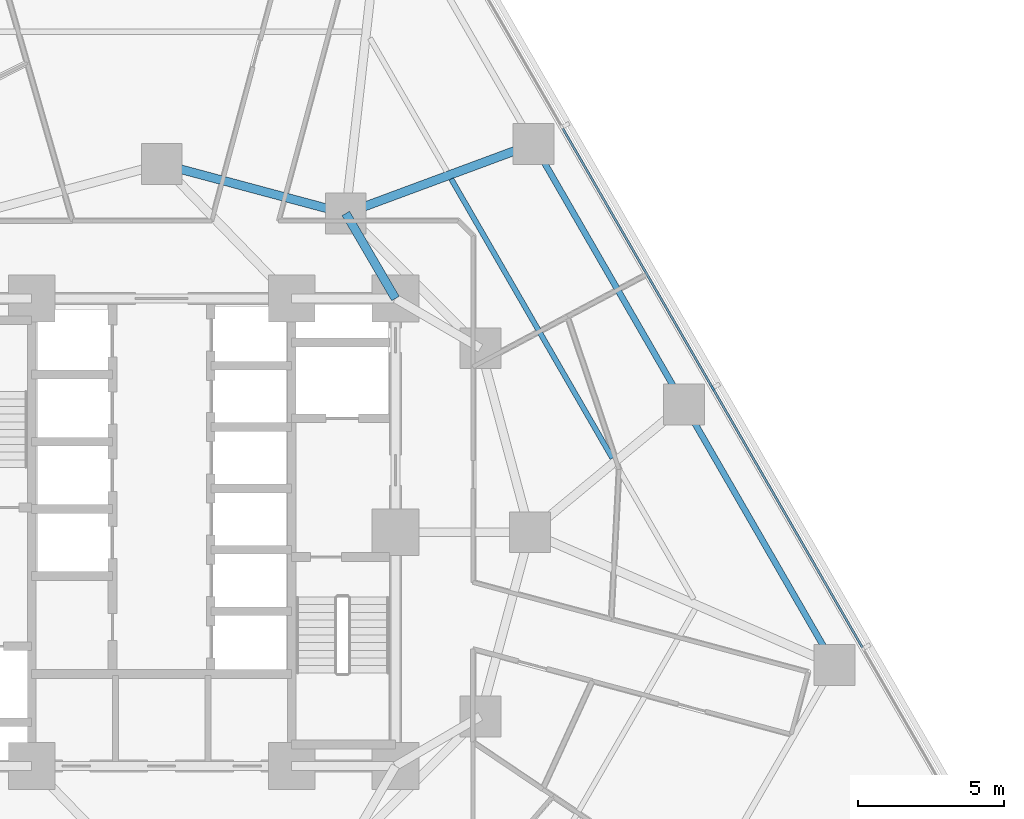
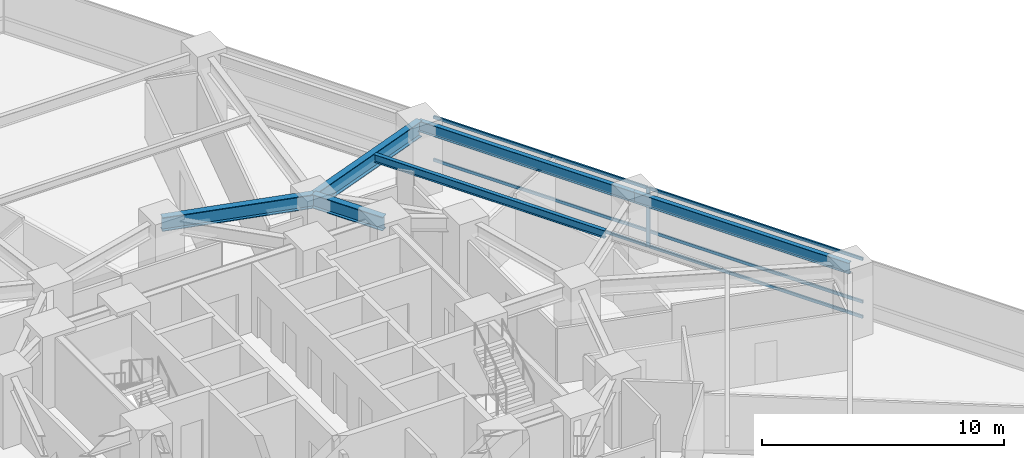
# One storey, part 5 of 16: 7 members, 6 beams, 1 element without a shape of its own.
"""IFC4 building model written with IfcOpenShell, lengths in metres."""

from ifc_helpers import new_model, si_unit, direction, frame, origin, origin_2d, place, context, subcontext, project, spatial, rectangle, i_section, extrude, material, layer, layer_set, material_profile, profile_set, type_object, element, aggregate, save


model = new_model("IFC4")

# Units and contexts
model_context = context("Model", 3, precision=1e-05, world=origin(), true_north=direction((0.0, 1.0)))
body_context = subcontext(model_context, "Body", "Model", "MODEL_VIEW")
ifc_project = project(units=[si_unit("LENGTHUNIT", "METRE"), si_unit("AREAUNIT", "SQUARE_METRE"), si_unit("VOLUMEUNIT", "CUBIC_METRE"), si_unit("PLANEANGLEUNIT", "RADIAN"), si_unit("MASSUNIT", "GRAM", prefix="KILO")], contexts=[model_context])

# Site, building, storey
site_placement = place(None, origin())
site = spatial("IfcSite", under=ifc_project, at=site_placement, CompositionType="ELEMENT")
building_placement = place(site_placement, origin())
building = spatial("IfcBuilding", under=site, at=building_placement, Name="Terralouvre Media Tower", CompositionType="ELEMENT")
storey_placement = place(building_placement, frame((0.0, 0.0, 40.800048828125)))
storey = spatial("IfcBuildingStorey", under=building, at=storey_placement, Name="L09", CompositionType="ELEMENT", Elevation=40.800048828125)

# Beam
ifc_material_1 = material(Name="Structural steel S355J2", Category="steel")
ifc_material_profile_1 = material_profile(ifc_material_1, i_section(OverallWidth=0.179931640625, OverallDepth=0.39990234375, WebThickness=0.008544921875, FlangeThickness=0.013427734375, at=origin_2d()), Name="IPE 400")
ifc_profile_set_1 = profile_set([ifc_material_profile_1], Name="Structural steel S355J2")
beam_type_1 = type_object("IfcBeamType", Name="Composite Floor Joist J-IPE400 (IPE 400)", PredefinedType="JOIST", material=ifc_profile_set_1)
beam_1_placement = place(storey_placement, frame((15.426025390625, 2.535400390625, 3.300048828125), z_axis=(-0.499996323086, 0.866027526641, 0.0), x_axis=(-0.866027526641, -0.499996323086, 0.0)))
element("IfcBeam", 1, at=beam_1_placement, inside=storey, type_object=beam_type_1, Name="L09 Framing Beam JT-L09-07", PredefinedType="JOIST", context=body_context, shape_type="SweptSolid", body=[
    extrude(i_section(OverallWidth=0.179931640625, OverallDepth=0.39990234375, WebThickness=0.008544921875, FlangeThickness=0.013427734375, at=origin_2d()), origin(), (0.0, 0.0, 1.0), 11.03466796875),
])

# Curtain wall, members
ifc_material_2 = material(Name="Low-iron laminated double glazing with solar-control coating", Category="glass")
ifc_layer = layer(ifc_material_2, 0.1650390625, Name="Lower Media Tower Unitised Curtain Wall CW-02")
ifc_layer_set = layer_set([ifc_layer], Name="Low-iron laminated double glazing with solar-control coating")
curtain_wall_type = type_object("IfcCurtainWallType", Name="Lower Media Tower Unitised Curtain Wall CW-02", PredefinedType="NOTDEFINED", material=ifc_layer_set)
curtain_wall_placement = place(storey_placement, origin())
curtain_wall = element("IfcCurtainWall", 2, at=curtain_wall_placement, inside=storey, type_object=curtain_wall_type, Name="L09 Facade Curtain Wall F1", PredefinedType="NOTDEFINED")
ifc_material_3 = material(Name="Anodised extruded aluminium 6063-T6", Category="aluminium")
ifc_material_profile_2 = material_profile(ifc_material_3, rectangle(XDim=0.074951171875, YDim=0.14990234375, at=origin_2d()), Name="ALU 75x150")
ifc_profile_set_2 = profile_set([ifc_material_profile_2], Name="Anodised extruded aluminium 6063-T6")
member_type_1 = type_object("IfcMemberType", Name="Curtain-Wall Horizontal Transom TR-150", PredefinedType="USERDEFINED", material=ifc_profile_set_2)
member_1_placement = place(storey_placement, frame((23.984619140625, -3.94921875, 0.037353515625), z_axis=(-0.499991148707, 0.866030514021, 0.0), x_axis=(-0.866030514021, -0.499991148707, 0.0)))
member_1 = element("IfcMember", 3, at=member_1_placement, type_object=member_type_1, Name="CW-02 transom 2.1", ObjectType="TRANSOM", PredefinedType="USERDEFINED", context=body_context, shape_type="SweptSolid", body=[
    extrude(rectangle(XDim=0.074951171875, YDim=0.14990234375, at=origin_2d()), origin(), (0.0, 0.0, 1.0), 10.224853515625),
])
member_2_placement = place(storey_placement, frame((23.984619140625, -3.94921875, 0.800048828125), z_axis=(-0.499991148707, 0.866030514021, 0.0), x_axis=(-0.866030514021, -0.499991148707, 0.0)))
member_2 = element("IfcMember", 4, at=member_2_placement, type_object=member_type_1, Name="CW-02 transom 2.2", ObjectType="TRANSOM", PredefinedType="USERDEFINED", context=body_context, shape_type="SweptSolid", body=[
    extrude(rectangle(XDim=0.074951171875, YDim=0.14990234375, at=origin_2d()), origin(), (0.0, 0.0, 1.0), 10.224853515625),
])
member_3_placement = place(storey_placement, frame((23.984619140625, -3.94921875, 2.96240234375), z_axis=(-0.499991148707, 0.866030514021, 0.0), x_axis=(-0.866030514021, -0.499991148707, 0.0)))
member_3 = element("IfcMember", 5, at=member_3_placement, type_object=member_type_1, Name="CW-02 transom 2.3", ObjectType="TRANSOM", PredefinedType="USERDEFINED", context=body_context, shape_type="SweptSolid", body=[
    extrude(rectangle(XDim=0.074951171875, YDim=0.14990234375, at=origin_2d()), origin(), (0.0, 0.0, 1.0), 10.224853515625),
])
member_4_placement = place(storey_placement, frame((18.834716796875, 4.970947265625, 0.037353515625), z_axis=(-0.50000905659, 0.866020174897, 0.0), x_axis=(-0.866020174897, -0.50000905659, 0.0)))
member_4 = element("IfcMember", 6, at=member_4_placement, type_object=member_type_1, Name="CW-02 transom 3.1", ObjectType="TRANSOM", PredefinedType="USERDEFINED", context=body_context, shape_type="SweptSolid", body=[
    extrude(rectangle(XDim=0.074951171875, YDim=0.14990234375, at=origin_2d()), origin(), (0.0, 0.0, 1.0), 10.224853515625),
])
member_5_placement = place(storey_placement, frame((18.834716796875, 4.970947265625, 0.800048828125), z_axis=(-0.50000905659, 0.866020174897, 0.0), x_axis=(-0.866020174897, -0.50000905659, 0.0)))
member_5 = element("IfcMember", 7, at=member_5_placement, type_object=member_type_1, Name="CW-02 transom 3.2", ObjectType="TRANSOM", PredefinedType="USERDEFINED", context=body_context, shape_type="SweptSolid", body=[
    extrude(rectangle(XDim=0.074951171875, YDim=0.14990234375, at=origin_2d()), origin(), (0.0, 0.0, 1.0), 10.224853515625),
])
member_6_placement = place(storey_placement, frame((18.834716796875, 4.970947265625, 2.96240234375), z_axis=(-0.50000905659, 0.866020174897, 0.0), x_axis=(-0.866020174897, -0.50000905659, 0.0)))
member_6 = element("IfcMember", 8, at=member_6_placement, type_object=member_type_1, Name="CW-02 transom 3.3", ObjectType="TRANSOM", PredefinedType="USERDEFINED", context=body_context, shape_type="SweptSolid", body=[
    extrude(rectangle(XDim=0.074951171875, YDim=0.14990234375, at=origin_2d()), origin(), (0.0, 0.0, 1.0), 10.224853515625),
])
ifc_material_4 = material(Name="Anodised extruded aluminium 6063-T6", Category="aluminium")
ifc_material_profile_3 = material_profile(ifc_material_4, rectangle(XDim=0.074951171875, YDim=0.179931640625, at=origin_2d()), Name="ALU 75x180")
ifc_profile_set_3 = profile_set([ifc_material_profile_3], Name="Anodised extruded aluminium 6063-T6")
member_type_2 = type_object("IfcMemberType", Name="Curtain-Wall Vertical Mullion ML-180", PredefinedType="MULLION", material=ifc_profile_set_3)
member_7_placement = place(storey_placement, frame((18.853515625, 4.938232421875, 0.0), z_axis=(0.0, 0.0, 1.0), x_axis=(-0.866025412057, -0.499999985671, 0.0)))
member_7 = element("IfcMember", 9, at=member_7_placement, type_object=member_type_2, Name="CW-02 mullion 3", PredefinedType="MULLION", context=body_context, shape_type="SweptSolid", body=[
    extrude(rectangle(XDim=0.074951171875, YDim=0.179931640625, at=origin_2d()), origin(), (0.0, 0.0, 1.0), 3.0),
])
aggregate(curtain_wall, [member_7, member_1, member_2, member_3, member_4, member_5, member_6])

# Beams
ifc_material_5 = material(Name="Structural steel S355J2", Category="steel")
ifc_material_profile_4 = material_profile(ifc_material_5, i_section(OverallWidth=0.2099609375, OverallDepth=0.550048828125, WebThickness=0.010986328125, FlangeThickness=0.01708984375, at=origin_2d()), Name="IPE 550")
ifc_profile_set_4 = profile_set([ifc_material_profile_4], Name="Structural steel S355J2")
beam_type_2 = type_object("IfcBeamType", Name="Perimeter Spandrel Beam SPB-550 (IPE 550)", PredefinedType="SPANDREL", material=ifc_profile_set_4)
for number, where, z_axis, x_axis, name in (
    (10, (23.02490234375, -4.546630859375, 3.224853515625), (-0.500016542852, 0.866015852554, 0.0), (-0.866015852554, -0.500016542852, 0.0), "L09 Framing Beam BM-L09-PR06"),
    (11, (17.874755859375, 4.373291015625, 3.224853515625), (-0.49998850195, 0.866032042085, 0.0), (-0.866032042085, -0.49998850195, 0.0), "L09 Framing Beam BM-L09-PR07"),
):
    element("IfcBeam", number, at=place(storey_placement, frame(where, z_axis=z_axis, x_axis=x_axis)), inside=storey, type_object=beam_type_2, Name=name, PredefinedType="SPANDREL", context=body_context, shape_type="SweptSolid", body=[
        extrude(i_section(OverallWidth=0.2099609375, OverallDepth=0.550048828125, WebThickness=0.010986328125, FlangeThickness=0.01708984375, at=origin_2d()), origin(), (0.0, 0.0, 1.0), 10.300048828125),
    ])
ifc_material_6 = material(Name="Structural steel S460M", Category="steel")
ifc_material_profile_5 = material_profile(ifc_material_6, i_section(OverallWidth=0.300048828125, OverallDepth=0.699951171875, WebThickness=0.01708984375, FlangeThickness=0.031982421875, at=origin_2d()), Name="HEB 700")
ifc_profile_set_5 = profile_set([ifc_material_profile_5], Name="Structural steel S460M")
beam_type_3 = type_object("IfcBeamType", Name="Primary Floor Girder B-HEB700 (HEB 700)", PredefinedType="BEAM", material=ifc_profile_set_5)
beam_2_placement = place(storey_placement, frame((6.300048828125, 10.911865234375, 3.14990234375), z_axis=(-0.965920481897, 0.258838989821, 0.0), x_axis=(-0.258838989821, -0.965920481897, 0.0)))
element("IfcBeam", 12, at=beam_2_placement, inside=storey, type_object=beam_type_3, Name="L09 Framing Beam BM-L09-MR08", PredefinedType="BEAM", context=body_context, shape_type="SweptSolid", body=[
    extrude(i_section(OverallWidth=0.300048828125, OverallDepth=0.699951171875, WebThickness=0.01708984375, FlangeThickness=0.031982421875, at=origin_2d()), origin(), (0.0, 0.0, 1.0), 6.522216796875),
])
beam_3_placement = place(storey_placement, frame((8.0, 8.0, 3.14990234375), z_axis=(-0.504172629717, 0.863602894532, 0.0), x_axis=(-0.863602894532, -0.504172629717, 0.0)))
element("IfcBeam", 13, at=beam_3_placement, inside=storey, type_object=beam_type_3, Name="L09 Framing Beam BM-L09-CM08", PredefinedType="BEAM", context=body_context, shape_type="SweptSolid", body=[
    extrude(i_section(OverallWidth=0.300048828125, OverallDepth=0.699951171875, WebThickness=0.01708984375, FlangeThickness=0.031982421875, at=origin_2d()), origin(), (0.0, 0.0, 1.0), 3.371826171875),
])
ifc_material_7 = material(Name="Structural steel S460M", Category="steel")
ifc_material_profile_6 = material_profile(ifc_material_7, i_section(OverallWidth=0.300048828125, OverallDepth=0.800048828125, WebThickness=0.017578125, FlangeThickness=0.032958984375, at=origin_2d()), Name="HEB 800")
ifc_profile_set_6 = profile_set([ifc_material_profile_6], Name="Structural steel S460M")
beam_type_4 = type_object("IfcBeamType", Name="Primary Floor Girder B-HEB800 (HEB 800)", PredefinedType="BEAM", material=ifc_profile_set_6)
beam_4_placement = place(storey_placement, frame((6.300048828125, 10.911865234375, 3.099853515625), z_axis=(0.937652019179, 0.347575446386, 0.0), x_axis=(-0.347575446386, 0.937652019179, 0.0)))
element("IfcBeam", 14, at=beam_4_placement, inside=storey, type_object=beam_type_4, Name="L09 Framing Beam BM-L09-RD08", PredefinedType="BEAM", context=body_context, shape_type="SweptSolid", body=[
    extrude(i_section(OverallWidth=0.300048828125, OverallDepth=0.800048828125, WebThickness=0.017578125, FlangeThickness=0.032958984375, at=origin_2d()), origin(), (0.0, 0.0, 1.0), 6.85205078125),
])

save(model, "model.ifc")
